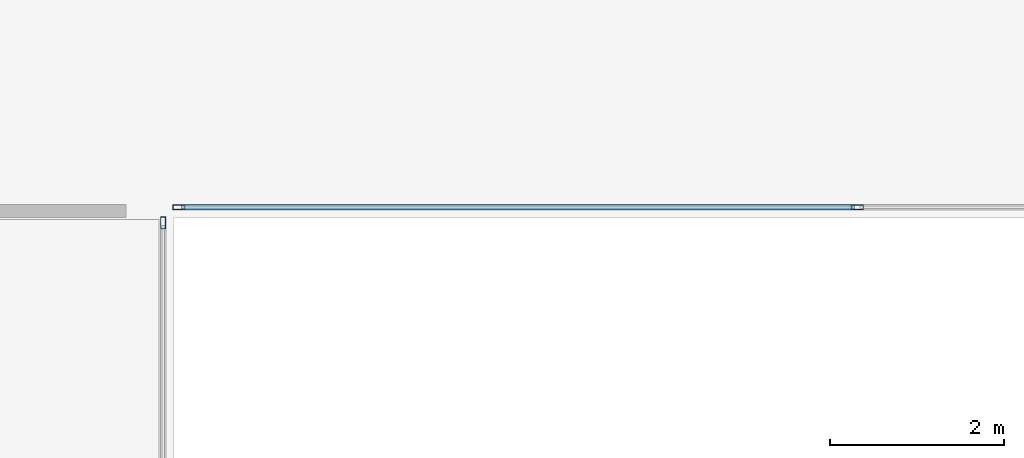
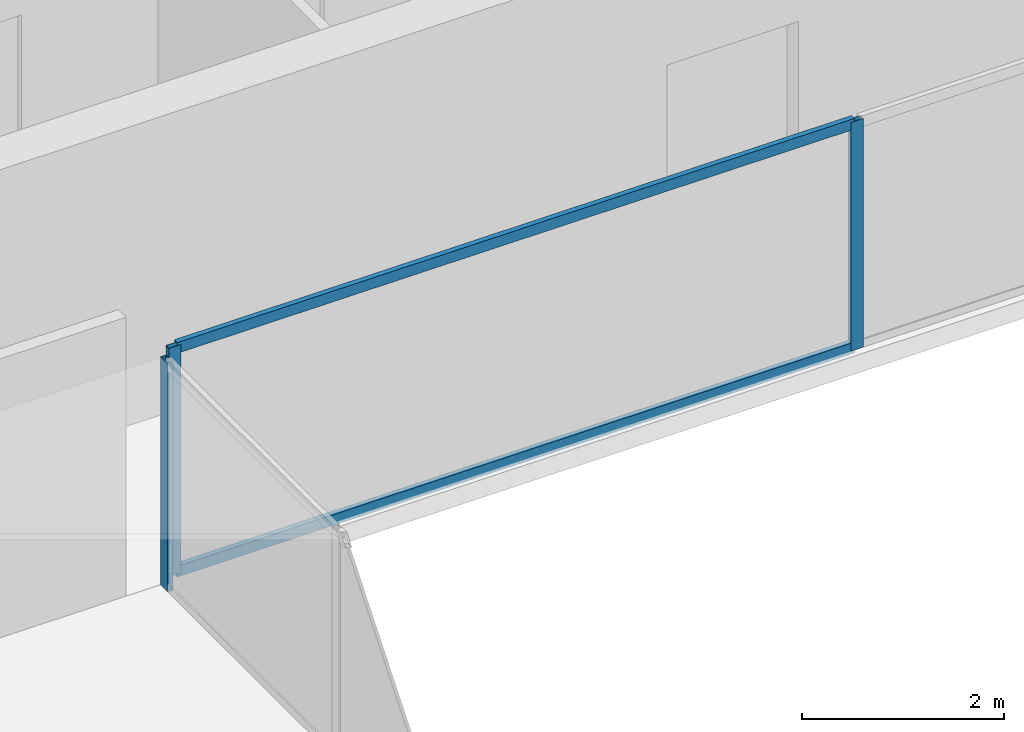
# One storey, part 10 of 29: 5 members, 2 elements without a shape of their own.
"""IFC4 building model written with IfcOpenShell, lengths in metres."""

from ifc_helpers import new_model, si_unit, direction, frame, origin, origin_2d, place, context, subcontext, project, spatial, hollow_rectangle, extrude, source, transform, mapped, material, layer, layer_set, material_profile, profile_set, type_object, element, aggregate, save


model = new_model("IFC4")

# Units and contexts
model_context = context("Model", 3, precision=1e-05, world=origin(), true_north=direction((0.0, 1.0)))
body_context = subcontext(model_context, "Body", "Model", "MODEL_VIEW")
ifc_project = project(units=[si_unit("LENGTHUNIT", "METRE"), si_unit("AREAUNIT", "SQUARE_METRE"), si_unit("VOLUMEUNIT", "CUBIC_METRE"), si_unit("PLANEANGLEUNIT", "RADIAN"), si_unit("MASSUNIT", "GRAM", prefix="KILO")], contexts=[model_context])

# Site, building, storey
site_placement = place(None, origin())
site = spatial("IfcSite", under=ifc_project, at=site_placement, CompositionType="ELEMENT")
building_placement = place(site_placement, origin())
building = spatial("IfcBuilding", under=site, at=building_placement, Name="Sumidabori Civic Tower", CompositionType="ELEMENT")
storey_placement = place(building_placement, frame((0.0, 0.0, 214.39990234375)))
storey = spatial("IfcBuildingStorey", under=building, at=storey_placement, Name="L55", CompositionType="ELEMENT", Elevation=214.39990234375)

# Curtain wall, member
ifc_material = material(Name="Anodised Bronze Aluminium AW-6063-T6", Category="aluminium")
ifc_layer = layer(ifc_material, 0.179931640625, Name="Anodised Bronze Aluminium AW-6063-T6")
ifc_layer_set = layer_set([ifc_layer], Name="Anodised Bronze Aluminium AW-6063-T6")
curtain_wall_type = type_object("IfcCurtainWallType", Name="CW-SYS-4", PredefinedType="NOTDEFINED", material=ifc_layer_set)
curtain_wall_1_placement = place(storey_placement, origin())
curtain_wall_1 = element("IfcCurtainWall", 1, at=curtain_wall_1_placement, inside=storey, type_object=curtain_wall_type, Name="Curtain Wall CW:L55:R04", PredefinedType="NOTDEFINED")
ifc_material_profile_1 = material_profile(ifc_material, hollow_rectangle(XDim=0.06005859375, YDim=0.139892578125, WallThickness=0.0048828125, at=origin_2d()), Name="ALU MULLION 140x60")
ifc_profile_set_1 = profile_set([ifc_material_profile_1], Name="Anodised Bronze Aluminium AW-6063-T6")
member_type_1 = type_object("IfcMemberType", Name="CW-MUL-140", PredefinedType="MULLION", material=ifc_profile_set_1)
shared_shape_1 = source(origin(), body_context, "Body", "SweptSolid", [
    extrude(hollow_rectangle(XDim=0.06005859375, YDim=0.139892578125, WallThickness=0.0048828125, at=origin_2d()), origin(), (0.0, 0.0, 1.0), 2.760009765625),
])
member_1_placement = place(storey_placement, frame((-7.969970703125, 7.340087890625, 0.0), z_axis=(0.0, 0.0, 1.0), x_axis=(-1.0, 0.0, 0.0)))
member_1 = element("IfcMember", 2, at=member_1_placement, type_object=member_type_1, Name="CW-4 mullion 3", PredefinedType="MULLION", context=body_context, shape_type="MappedRepresentation", body=[
    mapped(shared_shape_1, transform((0.0, 0.0, 0.0), x_axis=(1.0, 0.0, 0.0), y_axis=(0.0, 1.0, 0.0), z_axis=(0.0, 0.0, 1.0), scale=1.0)),
])
aggregate(curtain_wall_1, [member_1])

# Curtain wall, members
curtain_wall_2_placement = place(storey_placement, origin())
curtain_wall_2 = element("IfcCurtainWall", 3, at=curtain_wall_2_placement, inside=storey, type_object=curtain_wall_type, Name="Curtain Wall CW:L55:R05", PredefinedType="NOTDEFINED")
member_2_placement = place(storey_placement, frame((-7.7900390625, 7.52001953125, 0.0), z_axis=(0.0, 0.0, 1.0), x_axis=(0.0, 1.0, 0.0)))
member_2 = element("IfcMember", 4, at=member_2_placement, type_object=member_type_1, Name="CW-4 mullion 1", PredefinedType="MULLION", context=body_context, shape_type="MappedRepresentation", body=[
    mapped(shared_shape_1, transform((0.0, 0.0, 0.0), x_axis=(1.0, 0.0, 0.0), y_axis=(0.0, 1.0, 0.0), z_axis=(0.0, 0.0, 1.0), scale=1.0)),
])
member_3_placement = place(storey_placement, frame((0.0, 7.52001953125, 0.0), z_axis=(0.0, 0.0, 1.0), x_axis=(0.0, 1.0, 0.0)))
member_3 = element("IfcMember", 5, at=member_3_placement, type_object=member_type_1, Name="CW-4 mullion 2", PredefinedType="MULLION", context=body_context, shape_type="MappedRepresentation", body=[
    mapped(shared_shape_1, transform((0.0, 0.0, 0.0), x_axis=(1.0, 0.0, 0.0), y_axis=(0.0, 1.0, 0.0), z_axis=(0.0, 0.0, 1.0), scale=1.0)),
])
ifc_material_profile_2 = material_profile(ifc_material, hollow_rectangle(XDim=0.06005859375, YDim=0.1298828125, WallThickness=0.0048828125, at=origin_2d()), Name="ALU TRANSOM 130x60")
ifc_profile_set_2 = profile_set([ifc_material_profile_2], Name="Anodised Bronze Aluminium AW-6063-T6")
member_type_2 = type_object("IfcMemberType", Name="CW-TRN-130", PredefinedType="USERDEFINED", material=ifc_profile_set_2)
shared_shape_2 = source(origin(), body_context, "Body", "SweptSolid", [
    extrude(hollow_rectangle(XDim=0.06005859375, YDim=0.1298828125, WallThickness=0.0048828125, at=origin_2d()), origin(), (0.0, 0.0, 1.0), 7.72998046875),
])
member_4_placement = place(storey_placement, frame((-7.760009765625, 7.52001953125, 0.030029296875), z_axis=(1.0, 0.0, 0.0), x_axis=(0.0, 1.0, 0.0)))
member_4 = element("IfcMember", 6, at=member_4_placement, type_object=member_type_2, Name="CW-4 transom 1.1", ObjectType="TRANSOM", PredefinedType="USERDEFINED", context=body_context, shape_type="MappedRepresentation", body=[
    mapped(shared_shape_2, transform((0.0, 0.0, 0.0), x_axis=(1.0, 0.0, 0.0), y_axis=(0.0, 1.0, 0.0), z_axis=(0.0, 0.0, 1.0), scale=1.0)),
])
member_5_placement = place(storey_placement, frame((-7.760009765625, 7.52001953125, 2.72998046875), z_axis=(1.0, 0.0, 0.0), x_axis=(0.0, 1.0, 0.0)))
member_5 = element("IfcMember", 7, at=member_5_placement, type_object=member_type_2, Name="CW-4 transom 1.2", ObjectType="TRANSOM", PredefinedType="USERDEFINED", context=body_context, shape_type="MappedRepresentation", body=[
    mapped(shared_shape_2, transform((0.0, 0.0, 0.0), x_axis=(1.0, 0.0, 0.0), y_axis=(0.0, 1.0, 0.0), z_axis=(0.0, 0.0, 1.0), scale=1.0)),
])
aggregate(curtain_wall_2, [member_2, member_3, member_4, member_5])

save(model, "model.ifc")
